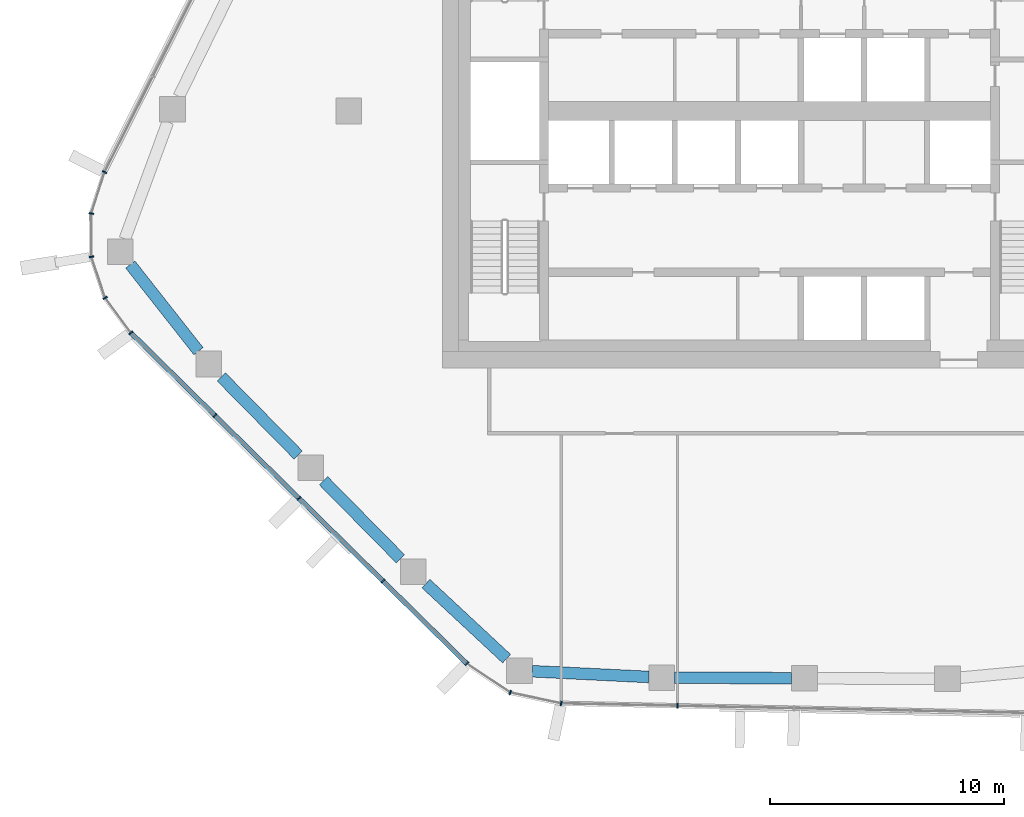
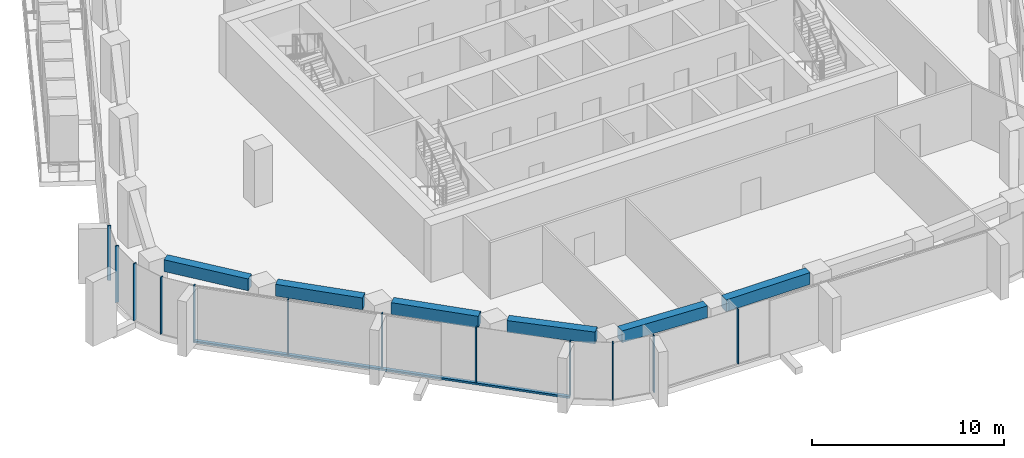
# One storey, part 2 of 21: 13 members, 6 beams, 5 elements without a shape of their own.
"""IFC4 building model written with IfcOpenShell, lengths in metres."""

from ifc_helpers import new_model, si_unit, direction, frame, origin, origin_2d, place, context, subcontext, project, spatial, rectangle, extrude, material, layer, layer_set, material_profile, profile_set, type_object, element, aggregate, save


model = new_model("IFC4")

# Units and contexts
model_context = context("Model", 3, precision=1e-05, world=origin(), true_north=direction((0.0, 1.0)))
body_context = subcontext(model_context, "Body", "Model", "MODEL_VIEW")
ifc_project = project(units=[si_unit("LENGTHUNIT", "METRE"), si_unit("AREAUNIT", "SQUARE_METRE"), si_unit("VOLUMEUNIT", "CUBIC_METRE"), si_unit("PLANEANGLEUNIT", "RADIAN"), si_unit("MASSUNIT", "GRAM", prefix="KILO")], contexts=[model_context])

# Site, building, storey
site_placement = place(None, origin())
site = spatial("IfcSite", under=ifc_project, at=site_placement, CompositionType="ELEMENT")
building_placement = place(site_placement, origin())
building = spatial("IfcBuilding", under=site, at=building_placement, Name="Dongbaek Canopy Tower", CompositionType="ELEMENT")
storey_placement = place(building_placement, frame((0.0, 0.0, 279.0)))
storey = spatial("IfcBuildingStorey", under=building, at=storey_placement, Name="L59", CompositionType="ELEMENT", Elevation=279.0)

# Curtain wall, member
ifc_material_1 = material(Name="Aluminium 6063-T6 pale anodised", Category="aluminium")
ifc_layer = layer(ifc_material_1, 0.199951171875)
ifc_layer_set = layer_set([ifc_layer], Name="CW-1 unitised tower curtain wall")
curtain_wall_type = type_object("IfcCurtainWallType", Name="CW-1 unitised tower curtain wall", PredefinedType="NOTDEFINED", material=ifc_layer_set)
curtain_wall_1_placement = place(storey_placement, origin())
curtain_wall_1 = element("IfcCurtainWall", 1, at=curtain_wall_1_placement, inside=storey, type_object=curtain_wall_type, Name="CW-1 curtain wall F2.1", PredefinedType="NOTDEFINED")
ifc_material_2 = material(Name="Aluminium 6063-T6 pale anodised", Category="aluminium")
ifc_material_profile_1 = material_profile(ifc_material_2, rectangle(XDim=0.199951171875, YDim=0.06005859375, at=origin_2d()), Name="CW-1 mullion 60 x 200")
ifc_profile_set_1 = profile_set([ifc_material_profile_1], Name="Aluminium 6063-T6 pale anodised")
member_type_1 = type_object("IfcMemberType", Name="CW-1 mullion 60 x 200", PredefinedType="MULLION", material=ifc_profile_set_1)
member_1_placement = place(storey_placement, frame((-28.44921875, -2.615966796875, 0.1201171875), z_axis=(0.0, 0.0, 1.0), x_axis=(-0.892500376776, 0.45104664665, 0.0)))
member_1 = element("IfcMember", 2, at=member_1_placement, type_object=member_type_1, Name="CW-1 mullion F2.1.3", PredefinedType="MULLION", context=body_context, shape_type="SweptSolid", body=[
    extrude(rectangle(XDim=0.199951171875, YDim=0.06005859375, at=origin_2d()), origin(), (0.0, 0.0, 1.0), 3.47998046875),
])
aggregate(curtain_wall_1, [member_1])

# Curtain wall, members
curtain_wall_2_placement = place(storey_placement, origin())
curtain_wall_2 = element("IfcCurtainWall", 3, at=curtain_wall_2_placement, inside=storey, type_object=curtain_wall_type, Name="CW-1 curtain wall K3.1", PredefinedType="NOTDEFINED")
member_2_placement = place(storey_placement, frame((-29.01708984375, -4.38720703125, 0.0), z_axis=(0.0, 0.0, 1.0), x_axis=(-0.98836733272, 0.152085553591, 0.0)))
member_2 = element("IfcMember", 4, at=member_2_placement, type_object=member_type_1, Name="CW-1 mullion K3.1.2", PredefinedType="MULLION", context=body_context, shape_type="SweptSolid", body=[
    extrude(rectangle(XDim=0.199951171875, YDim=0.06005859375, at=origin_2d()), origin(), (0.0, 0.0, 1.0), 3.60009765625),
])
member_3_placement = place(storey_placement, frame((-29.008056640625, -6.239013671875, 0.0), z_axis=(0.0, 0.0, 1.0), x_axis=(-0.986812691429, -0.161866340027, 0.0)))
member_3 = element("IfcMember", 5, at=member_3_placement, type_object=member_type_1, Name="CW-1 mullion K3.1.3", PredefinedType="MULLION", context=body_context, shape_type="SweptSolid", body=[
    extrude(rectangle(XDim=0.199951171875, YDim=0.06005859375, at=origin_2d()), origin(), (0.0, 0.0, 1.0), 3.60009765625),
])
member_4_placement = place(storey_placement, frame((-28.425048828125, -7.996826171875, 0.0), z_axis=(0.0, 0.0, 1.0), x_axis=(-0.88798969111, -0.45986335849, 0.0)))
member_4 = element("IfcMember", 6, at=member_4_placement, type_object=member_type_1, Name="CW-1 mullion K3.1.4", PredefinedType="MULLION", context=body_context, shape_type="SweptSolid", body=[
    extrude(rectangle(XDim=0.199951171875, YDim=0.06005859375, at=origin_2d()), origin(), (0.0, 0.0, 1.0), 3.60009765625),
])
member_5_placement = place(storey_placement, frame((-27.321044921875, -9.49365234375, 0.0), z_axis=(0.0, 0.0, 1.0), x_axis=(-0.804792130551, -0.593556759378, 0.0)))
member_5 = element("IfcMember", 7, at=member_5_placement, type_object=member_type_1, Name="CW-1 mullion K3.1.5", PredefinedType="MULLION", context=body_context, shape_type="SweptSolid", body=[
    extrude(rectangle(XDim=0.199951171875, YDim=0.06005859375, at=origin_2d()), origin(), (0.0, 0.0, 1.0), 3.60009765625),
])
aggregate(curtain_wall_2, [member_2, member_3, member_4, member_5])

curtain_wall_3_placement = place(storey_placement, origin())
curtain_wall_3 = element("IfcCurtainWall", 8, at=curtain_wall_3_placement, inside=storey, type_object=curtain_wall_type, Name="CW-1 curtain wall F3.1", PredefinedType="NOTDEFINED")
member_6_placement = place(storey_placement, frame((-23.72998046875, -13.030029296875, 0.1201171875), z_axis=(0.0, 0.0, 1.0), x_axis=(-0.701639137856, -0.712532469596, 0.0)))
member_6 = element("IfcMember", 9, at=member_6_placement, type_object=member_type_1, Name="CW-1 mullion F3.1.2", PredefinedType="MULLION", context=body_context, shape_type="SweptSolid", body=[
    extrude(rectangle(XDim=0.199951171875, YDim=0.06005859375, at=origin_2d()), origin(), (0.0, 0.0, 1.0), 3.47998046875),
])
member_7_placement = place(storey_placement, frame((-20.13330078125, -16.57177734375, 0.1201171875), z_axis=(0.0, 0.0, 1.0), x_axis=(-0.701639137856, -0.712532469596, 0.0)))
member_7 = element("IfcMember", 10, at=member_7_placement, type_object=member_type_1, Name="CW-1 mullion F3.1.3", PredefinedType="MULLION", context=body_context, shape_type="SweptSolid", body=[
    extrude(rectangle(XDim=0.199951171875, YDim=0.06005859375, at=origin_2d()), origin(), (0.0, 0.0, 1.0), 3.47998046875),
])
member_8_placement = place(storey_placement, frame((-16.536376953125, -20.113525390625, 0.1201171875), z_axis=(0.0, 0.0, 1.0), x_axis=(-0.701639137856, -0.712532469596, 0.0)))
member_8 = element("IfcMember", 11, at=member_8_placement, type_object=member_type_1, Name="CW-1 mullion F3.1.4", PredefinedType="MULLION", context=body_context, shape_type="SweptSolid", body=[
    extrude(rectangle(XDim=0.199951171875, YDim=0.06005859375, at=origin_2d()), origin(), (0.0, 0.0, 1.0), 3.47998046875),
])
member_9_placement = place(storey_placement, frame((-12.946533203125, -23.648681640625, 0.1201171875), z_axis=(0.0, 0.0, 1.0), x_axis=(-0.701639137856, -0.712532469596, 0.0)))
member_9 = element("IfcMember", 12, at=member_9_placement, type_object=member_type_1, Name="CW-1 mullion F3.1.5", PredefinedType="MULLION", context=body_context, shape_type="SweptSolid", body=[
    extrude(rectangle(XDim=0.199951171875, YDim=0.06005859375, at=origin_2d()), origin(), (0.0, 0.0, 1.0), 3.47998046875),
])

curtain_wall_4_placement = place(storey_placement, origin())
curtain_wall_4 = element("IfcCurtainWall", 13, at=curtain_wall_4_placement, inside=storey, type_object=curtain_wall_type, Name="CW-1 curtain wall K4.1", PredefinedType="NOTDEFINED")
member_10_placement = place(storey_placement, frame((-11.092041015625, -24.885986328125, 0.0), z_axis=(0.0, 0.0, 1.0), x_axis=(-0.38860494712, -0.921404468772, 0.0)))
member_10 = element("IfcMember", 14, at=member_10_placement, type_object=member_type_1, Name="CW-1 mullion K4.1.2", PredefinedType="MULLION", context=body_context, shape_type="SweptSolid", body=[
    extrude(rectangle(XDim=0.199951171875, YDim=0.06005859375, at=origin_2d()), origin(), (0.0, 0.0, 1.0), 3.60009765625),
])
member_11_placement = place(storey_placement, frame((-8.91162109375, -25.350341796875, 0.0), z_axis=(0.0, 0.0, 1.0), x_axis=(-0.208291594896, -0.978066772514, 0.0)))
member_11 = element("IfcMember", 15, at=member_11_placement, type_object=member_type_1, Name="CW-1 mullion K4.1.3", PredefinedType="MULLION", context=body_context, shape_type="SweptSolid", body=[
    extrude(rectangle(XDim=0.199951171875, YDim=0.06005859375, at=origin_2d()), origin(), (0.0, 0.0, 1.0), 3.60009765625),
])
aggregate(curtain_wall_4, [member_10, member_11])

# Curtain wall, member
curtain_wall_5_placement = place(storey_placement, origin())
curtain_wall_5 = element("IfcCurtainWall", 16, at=curtain_wall_5_placement, inside=storey, type_object=curtain_wall_type, Name="CW-1 curtain wall F4.1", PredefinedType="NOTDEFINED")
member_12_placement = place(storey_placement, frame((-3.93359375, -25.45263671875, 0.1201171875), z_axis=(0.0, 0.0, 1.0), x_axis=(-0.020537333389, -0.999789086726, 0.0)))
member_12 = element("IfcMember", 17, at=member_12_placement, type_object=member_type_1, Name="CW-1 mullion F4.1.2", PredefinedType="MULLION", context=body_context, shape_type="SweptSolid", body=[
    extrude(rectangle(XDim=0.199951171875, YDim=0.06005859375, at=origin_2d()), origin(), (0.0, 0.0, 1.0), 3.47998046875),
])
aggregate(curtain_wall_5, [member_12])

# Member
ifc_material_3 = material(Name="Aluminium 6063-T6 pale anodised", Category="aluminium")
ifc_material_profile_2 = material_profile(ifc_material_3, rectangle(XDim=0.199951171875, YDim=0.1201171875, at=origin_2d()), Name="CW-1 transom 120 x 200")
ifc_profile_set_2 = profile_set([ifc_material_profile_2], Name="Aluminium 6063-T6 pale anodised")
member_type_2 = type_object("IfcMemberType", Name="CW-1 transom 120 x 200", PredefinedType="USERDEFINED", material=ifc_profile_set_2)
member_13_placement = place(storey_placement, frame((-27.321044921875, -9.49365234375, 0.06005859375), z_axis=(0.712525584206, -0.701646130077, 0.0), x_axis=(0.701646130077, 0.712525584206, 0.0)))
member_13 = element("IfcMember", 18, at=member_13_placement, type_object=member_type_2, Name="CW-1 transom F3.1.1", ObjectType="TRANSOM", PredefinedType="USERDEFINED", context=body_context, shape_type="SweptSolid", body=[
    extrude(rectangle(XDim=0.199951171875, YDim=0.1201171875, at=origin_2d()), origin(), (0.0, 0.0, 1.0), 20.174072265625),
])

aggregate(curtain_wall_3, [member_6, member_7, member_8, member_9, member_13])

# Beams
ifc_material_4 = material(Name="Concrete C70", Category="concrete")
ifc_material_profile_3 = material_profile(ifc_material_4, rectangle(XDim=0.5, YDim=0.75, at=origin_2d()), Name="RC EDGE BEAM 500x750 C70")
ifc_profile_set_3 = profile_set([ifc_material_profile_3], Name="Concrete C70")
beam_type = type_object("IfcBeamType", Name="RC EDGE BEAM 500x750 C70", PredefinedType="BEAM", material=ifc_profile_set_3)
beam_1_placement = place(storey_placement, frame((0.951904296875, -24.269775390625, 3.22509765625), z_axis=(-0.999990816155, 0.0042857445, 0.0), x_axis=(-0.0042857445, -0.999990816155, 0.0)))
element("IfcBeam", 19, at=beam_1_placement, inside=storey, type_object=beam_type, Name="EDGEBEAM:L59:02", PredefinedType="BEAM", context=body_context, shape_type="SweptSolid", body=[
    extrude(rectangle(XDim=0.5, YDim=0.75, at=origin_2d()), origin(), (0.0, 0.0, 1.0), 5.012939453125),
])
beam_2_placement = place(storey_placement, frame((-5.160888671875, -24.218994140625, 3.22509765625), z_axis=(-0.998786614333, 0.049247325106, 0.0), x_axis=(-0.049247325106, -0.998786614333, 0.0)))
element("IfcBeam", 20, at=beam_2_placement, inside=storey, type_object=beam_type, Name="EDGEBEAM:L59:03", PredefinedType="BEAM", context=body_context, shape_type="SweptSolid", body=[
    extrude(rectangle(XDim=0.5, YDim=0.75, at=origin_2d()), origin(), (0.0, 0.0, 1.0), 4.9921875),
])
beam_3_placement = place(storey_placement, frame((-11.2470703125, -23.434326171875, 3.22509765625), z_axis=(-0.732241423494, 0.681045151014, 0.0), x_axis=(-0.681045151014, -0.732241423494, 0.0)))
element("IfcBeam", 21, at=beam_3_placement, inside=storey, type_object=beam_type, Name="EDGEBEAM:L59:04", PredefinedType="BEAM", context=body_context, shape_type="SweptSolid", body=[
    extrude(rectangle(XDim=0.5, YDim=0.75, at=origin_2d()), origin(), (0.0, 0.0, 1.0), 4.71142578125),
])
beam_4_placement = place(storey_placement, frame((-15.788818359375, -19.1640625, 3.22509765625), z_axis=(-0.701699383964, 0.712473139525, 0.0), x_axis=(-0.712473139525, -0.701699383964, 0.0)))
element("IfcBeam", 22, at=beam_4_placement, inside=storey, type_object=beam_type, Name="EDGEBEAM:L59:05", PredefinedType="BEAM", context=body_context, shape_type="SweptSolid", body=[
    extrude(rectangle(XDim=0.5, YDim=0.75, at=origin_2d()), origin(), (0.0, 0.0, 1.0), 4.690673828125),
])
beam_5_placement = place(storey_placement, frame((-20.16357421875, -14.721923828125, 3.22509765625), z_axis=(-0.701621732034, 0.712549608896, 0.0), x_axis=(-0.712549608896, -0.701621732034, 0.0)))
element("IfcBeam", 23, at=beam_5_placement, inside=storey, type_object=beam_type, Name="EDGEBEAM:L59:06", PredefinedType="BEAM", context=body_context, shape_type="SweptSolid", body=[
    extrude(rectangle(XDim=0.5, YDim=0.75, at=origin_2d()), origin(), (0.0, 0.0, 1.0), 4.691650390625),
])
beam_6_placement = place(storey_placement, frame((-24.429931640625, -10.279052734375, 3.22509765625), z_axis=(-0.618474671525, 0.785804734449, 0.0), x_axis=(-0.785804734449, -0.618474671525, 0.0)))
element("IfcBeam", 24, at=beam_6_placement, inside=storey, type_object=beam_type, Name="EDGEBEAM:L59:07", PredefinedType="BEAM", context=body_context, shape_type="SweptSolid", body=[
    extrude(rectangle(XDim=0.5, YDim=0.75, at=origin_2d()), origin(), (0.0, 0.0, 1.0), 4.719970703125),
])

save(model, "model.ifc")
